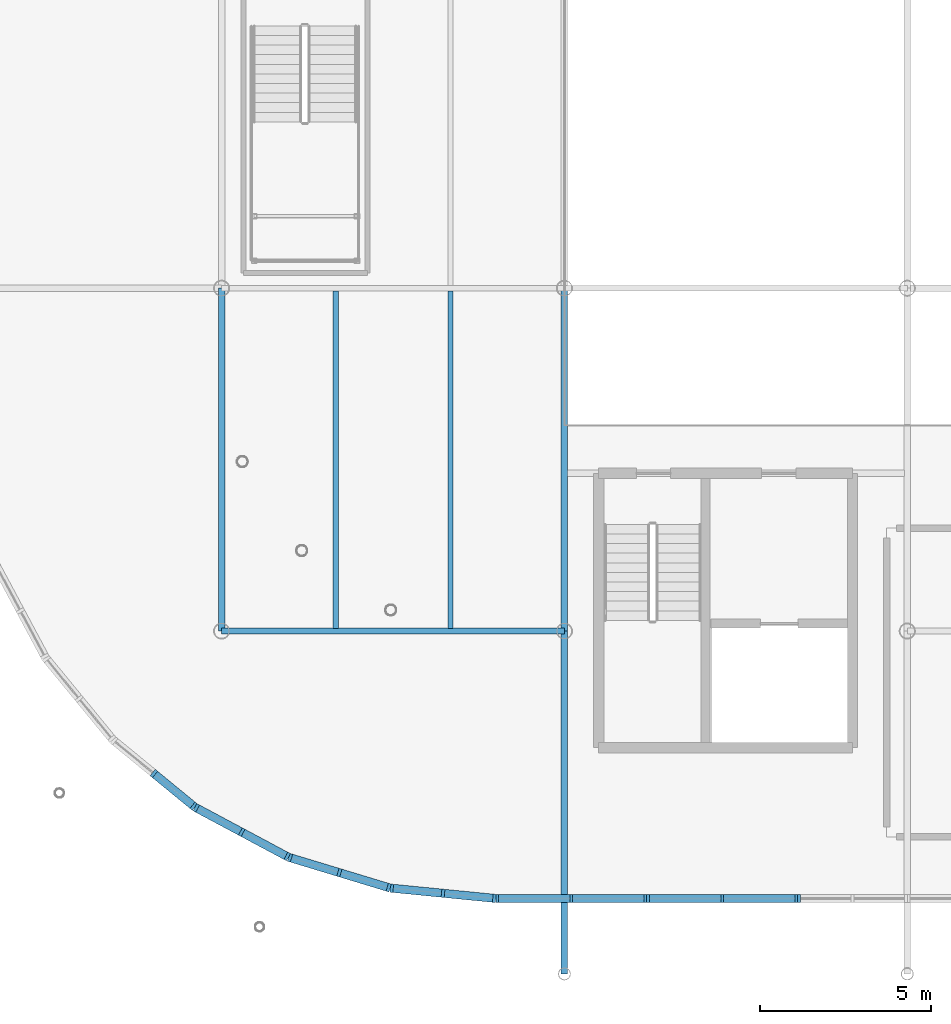
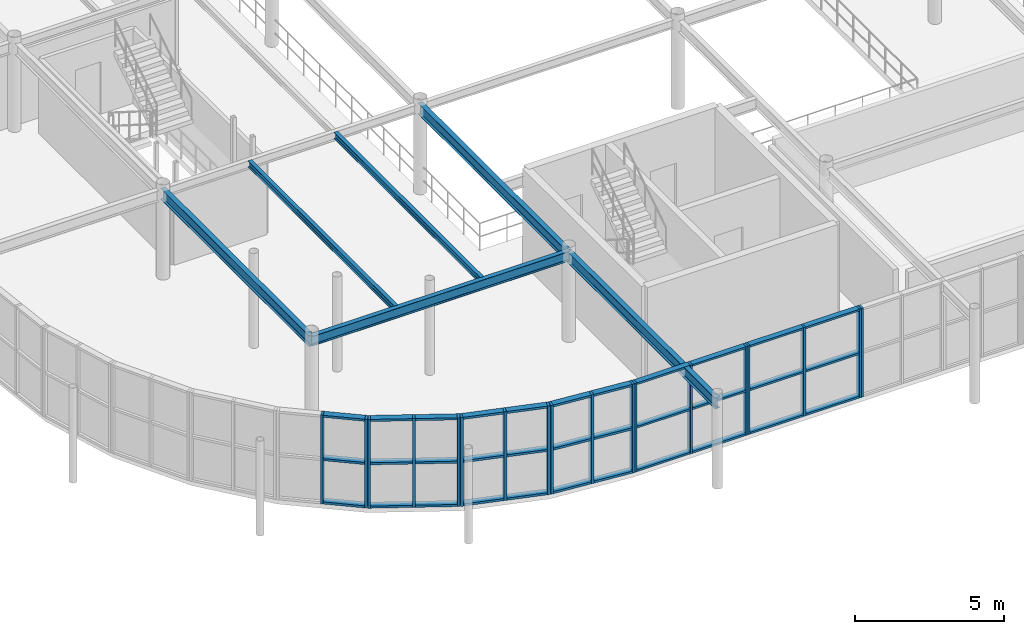
# One storey, part 43 of 98: 51 members, 6 beams, 7 elements without a shape of their own.
"""IFC4 building model written with IfcOpenShell, lengths in metres."""

from ifc_helpers import new_model, si_unit, derived_unit, direction, frame, origin, origin_2d_with_axis, place, context, subcontext, project, spatial, rectangle, i_section, extrude, material, material_profile, profile_set, type_object, element, aggregate, save


model = new_model("IFC4")

# Units and contexts
model_context = context("Model", 3, precision=1e-05, world=origin(), true_north=direction((0.0, 1.0)))
body_context = subcontext(model_context, "Body", "Model", "MODEL_VIEW")
ifc_project = project(units=[si_unit("LENGTHUNIT", "METRE"), si_unit("AREAUNIT", "SQUARE_METRE"), si_unit("VOLUMEUNIT", "CUBIC_METRE"), si_unit("PLANEANGLEUNIT", "RADIAN"), si_unit("MASSUNIT", "GRAM", prefix="KILO"), derived_unit("THERMALTRANSMITTANCEUNIT", [(si_unit("POWERUNIT", "WATT"), 1), (si_unit("LENGTHUNIT", "METRE"), -2), (si_unit("THERMODYNAMICTEMPERATUREUNIT", "KELVIN"), -1)])], contexts=[model_context])

# Site, building, storey
site_placement = place(None, origin())
site = spatial("IfcSite", under=ifc_project, at=site_placement, CompositionType="ELEMENT")
building_placement = place(site_placement, origin())
building = spatial("IfcBuilding", under=site, at=building_placement, Name="Cinnabar Yard Market Hall", CompositionType="ELEMENT")
storey_placement = place(building_placement, frame((0.0, 0.0, 4.5)))
storey = spatial("IfcBuildingStorey", under=building, at=storey_placement, Name="L01", CompositionType="ELEMENT", Elevation=4.5)

# Beams
ifc_material_1 = material(Name="Steel Grade 300 (300 MPa)", Category="steel")
ifc_material_profile_1 = material_profile(ifc_material_1, i_section(OverallWidth=0.18994140625, OverallDepth=0.453857421875, WebThickness=0.008544921875, FlangeThickness=0.0126953125, FilletRadius=0.011474609375, at=origin_2d_with_axis()), Name="460UB67.1")
ifc_profile_set_1 = profile_set([ifc_material_profile_1], Name="Steel Grade 300 (300 MPa)")
beam_type_1 = type_object("IfcBeamType", Name="BM-B05", PredefinedType="BEAM", material=ifc_profile_set_1)
for number, where, z_axis, x_axis, name in (
    (1, (76.0, 24.0, 3.423095703125), (0.0, 1.0, 0.0), (-1.0, 0.0, 0.0), "L01 Gallery Girder Y 00307"),
    (2, (86.0, 24.0, 3.423095703125), (0.0, 1.0, 0.0), (-1.0, 0.0, 0.0), "L01 Gallery Girder Y 00318"),
):
    element("IfcBeam", number, at=place(storey_placement, frame(where, z_axis=z_axis, x_axis=x_axis)), inside=storey, type_object=beam_type_1, Name=name, PredefinedType="BEAM", context=body_context, shape_type="SweptSolid", body=[
        extrude(i_section(OverallWidth=0.18994140625, OverallDepth=0.453857421875, WebThickness=0.008544921875, FlangeThickness=0.0126953125, FilletRadius=0.011474609375, at=origin_2d_with_axis()), origin(), (0.0, 0.0, 1.0), 10.0),
    ])
ifc_material_profile_2 = material_profile(ifc_material_1, i_section(OverallWidth=0.18994140625, OverallDepth=0.453857421875, WebThickness=0.008544921875, FlangeThickness=0.0126953125, FilletRadius=0.011474609375, at=origin_2d_with_axis()), Name="460UB67.1")
ifc_profile_set_2 = profile_set([ifc_material_profile_2], Name="Steel Grade 300 (300 MPa)")
beam_type_2 = type_object("IfcBeamType", Name="BM-B05E", PredefinedType="BEAM", material=ifc_profile_set_2)
beam_1_placement = place(storey_placement, frame((86.0, 24.0, 3.423095703125), z_axis=(0.0, -1.0, 0.0), x_axis=(1.0, 0.0, 0.0)))
element("IfcBeam", 3, at=beam_1_placement, inside=storey, type_object=beam_type_2, Name="L01 Gallery South Tie 00287", PredefinedType="BEAM", context=body_context, shape_type="SweptSolid", body=[
    extrude(i_section(OverallWidth=0.18994140625, OverallDepth=0.453857421875, WebThickness=0.008544921875, FlangeThickness=0.0126953125, FilletRadius=0.011474609375, at=origin_2d_with_axis()), origin(), (0.0, 0.0, 1.0), 10.0),
])
ifc_material_profile_3 = material_profile(ifc_material_1, i_section(OverallWidth=0.177978515625, OverallDepth=0.402587890625, WebThickness=0.007568359375, FlangeThickness=0.010986328125, FilletRadius=0.011474609375, at=origin_2d_with_axis()), Name="410UB53.7")
ifc_profile_set_3 = profile_set([ifc_material_profile_3], Name="Steel Grade 300 (300 MPa)")
beam_type_3 = type_object("IfcBeamType", Name="BM-B09", PredefinedType="BEAM", material=ifc_profile_set_3)
beam_2_placement = place(storey_placement, frame((76.0, 24.0, 3.44873046875), z_axis=(1.0, 0.0, 0.0), x_axis=(0.0, 1.0, 0.0)))
element("IfcBeam", 4, at=beam_2_placement, inside=storey, type_object=beam_type_3, Name="L01 Gallery Girder X 00251", PredefinedType="BEAM", context=body_context, shape_type="SweptSolid", body=[
    extrude(i_section(OverallWidth=0.177978515625, OverallDepth=0.402587890625, WebThickness=0.007568359375, FlangeThickness=0.010986328125, FilletRadius=0.011474609375, at=origin_2d_with_axis()), origin(), (0.0, 0.0, 1.0), 10.0),
])
ifc_material_profile_4 = material_profile(ifc_material_1, i_section(OverallWidth=0.14599609375, OverallDepth=0.256103515625, WebThickness=0.00634765625, FlangeThickness=0.010986328125, FilletRadius=0.0087890625, at=origin_2d_with_axis()), Name="250UB37.3")
ifc_profile_set_4 = profile_set([ifc_material_profile_4], Name="Steel Grade 300 (300 MPa)")
beam_type_4 = type_object("IfcBeamType", Name="BM-J03", PredefinedType="JOIST", material=ifc_profile_set_4)
for number, where, z_axis, x_axis, name in (
    (5, (79.330078125, 24.074951171875, 3.52197265625), (0.0, 1.0, 0.0), (-1.0, 0.0, 0.0), "L01 Gallery Joist 00308"),
    (6, (82.669921875, 24.074951171875, 3.52197265625), (0.0, 1.0, 0.0), (-1.0, 0.0, 0.0), "L01 Gallery Joist 00309"),
):
    element("IfcBeam", number, at=place(storey_placement, frame(where, z_axis=z_axis, x_axis=x_axis)), inside=storey, type_object=beam_type_4, Name=name, PredefinedType="JOIST", context=body_context, shape_type="SweptSolid", body=[
        extrude(i_section(OverallWidth=0.14599609375, OverallDepth=0.256103515625, WebThickness=0.00634765625, FlangeThickness=0.010986328125, FilletRadius=0.0087890625, at=origin_2d_with_axis()), origin(), (0.0, 0.0, 1.0), 9.85009765625),
    ])

# Curtain wall, members
ifc_material_2 = material(Name="Anodised bronze aluminium curved-chord facade", Category="aluminium")
curtain_wall_type_1 = type_object("IfcCurtainWallType", Name="CW-CWC031x36", PredefinedType="NOTDEFINED", material=ifc_material_2)
curtain_wall_1_placement = place(storey_placement, origin())
curtain_wall_1 = element("IfcCurtainWall", 7, at=curtain_wall_1_placement, inside=storey, type_object=curtain_wall_type_1, Name="Corner SW Chord 5 L01", PredefinedType="NOTDEFINED")
ifc_material_3 = material(Name="Anodised bronze aluminium", Category="aluminium")
ifc_material_profile_5 = material_profile(ifc_material_3, rectangle(XDim=0.239990234375, YDim=0.090087890625, at=origin_2d_with_axis()), Name="MUL-CWC")
ifc_profile_set_5 = profile_set([ifc_material_profile_5], Name="Anodised bronze aluminium")
member_type_1 = type_object("IfcMemberType", Name="CWM-CWC", PredefinedType="MULLION", material=ifc_profile_set_5)
member_1_placement = place(storey_placement, frame((74.02490234375, 19.84521484375, 0.0), z_axis=(0.0, 0.0, 1.0), x_axis=(0.634383400924, 0.773018564222, 0.0)))
member_1 = element("IfcMember", 8, at=member_1_placement, type_object=member_type_1, Name="CWC031x36 mullion 2", PredefinedType="MULLION", context=body_context, shape_type="SweptSolid", body=[
    extrude(rectangle(XDim=0.239990234375, YDim=0.090087890625, at=origin_2d_with_axis()), origin(), (0.0, 0.0, 1.0), 3.64990234375),
])
member_2_placement = place(storey_placement, frame((75.187255859375, 18.891357421875, 0.0), z_axis=(0.0, 0.0, 1.0), x_axis=(0.634383400924, 0.773018564222, 0.0)))
member_2 = element("IfcMember", 9, at=member_2_placement, type_object=member_type_1, Name="CWC031x36 mullion 3", PredefinedType="MULLION", context=body_context, shape_type="SweptSolid", body=[
    extrude(rectangle(XDim=0.239990234375, YDim=0.090087890625, at=origin_2d_with_axis()), origin(), (0.0, 0.0, 1.0), 3.64990234375),
])

curtain_wall_2_placement = place(storey_placement, origin())
curtain_wall_2 = element("IfcCurtainWall", 10, at=curtain_wall_2_placement, inside=storey, type_object=curtain_wall_type_1, Name="Corner SW Chord 6 L01", PredefinedType="NOTDEFINED")
member_3_placement = place(storey_placement, frame((75.26171875, 18.841552734375, 0.0), z_axis=(0.0, 0.0, 1.0), x_axis=(0.471404114786, 0.881917320707, 0.0)))
member_3 = element("IfcMember", 11, at=member_3_placement, type_object=member_type_1, Name="CWC031x36 mullion 1", PredefinedType="MULLION", context=body_context, shape_type="SweptSolid", body=[
    extrude(rectangle(XDim=0.239990234375, YDim=0.090087890625, at=origin_2d_with_axis()), origin(), (0.0, 0.0, 1.0), 3.64990234375),
])
member_4_placement = place(storey_placement, frame((76.587890625, 18.1328125, 0.0), z_axis=(0.0, 0.0, 1.0), x_axis=(0.471404114786, 0.881917320707, 0.0)))
member_4 = element("IfcMember", 12, at=member_4_placement, type_object=member_type_1, Name="CWC031x36 mullion 2", PredefinedType="MULLION", context=body_context, shape_type="SweptSolid", body=[
    extrude(rectangle(XDim=0.239990234375, YDim=0.090087890625, at=origin_2d_with_axis()), origin(), (0.0, 0.0, 1.0), 3.64990234375),
])
member_5_placement = place(storey_placement, frame((77.913818359375, 17.423828125, 0.0), z_axis=(0.0, 0.0, 1.0), x_axis=(0.471404114786, 0.881917320707, 0.0)))
member_5 = element("IfcMember", 13, at=member_5_placement, type_object=member_type_1, Name="CWC031x36 mullion 3", PredefinedType="MULLION", context=body_context, shape_type="SweptSolid", body=[
    extrude(rectangle(XDim=0.239990234375, YDim=0.090087890625, at=origin_2d_with_axis()), origin(), (0.0, 0.0, 1.0), 3.64990234375),
])

curtain_wall_3_placement = place(storey_placement, origin())
curtain_wall_3 = element("IfcCurtainWall", 14, at=curtain_wall_3_placement, inside=storey, type_object=curtain_wall_type_1, Name="Corner SW Chord 7 L01", PredefinedType="NOTDEFINED")
member_6_placement = place(storey_placement, frame((77.99658203125, 17.3896484375, 0.0), z_axis=(0.0, 0.0, 1.0), x_axis=(0.290278891325, 0.956942090856, 0.0)))
member_6 = element("IfcMember", 15, at=member_6_placement, type_object=member_type_1, Name="CWC031x36 mullion 1", PredefinedType="MULLION", context=body_context, shape_type="SweptSolid", body=[
    extrude(rectangle(XDim=0.239990234375, YDim=0.090087890625, at=origin_2d_with_axis()), origin(), (0.0, 0.0, 1.0), 3.64990234375),
])
member_7_placement = place(storey_placement, frame((79.435546875, 16.953125, 0.0), z_axis=(0.0, 0.0, 1.0), x_axis=(0.290278891325, 0.956942090856, 0.0)))
member_7 = element("IfcMember", 16, at=member_7_placement, type_object=member_type_1, Name="CWC031x36 mullion 2", PredefinedType="MULLION", context=body_context, shape_type="SweptSolid", body=[
    extrude(rectangle(XDim=0.239990234375, YDim=0.090087890625, at=origin_2d_with_axis()), origin(), (0.0, 0.0, 1.0), 3.64990234375),
])
member_8_placement = place(storey_placement, frame((80.87451171875, 16.5166015625, 0.0), z_axis=(0.0, 0.0, 1.0), x_axis=(0.290278891325, 0.956942090856, 0.0)))
member_8 = element("IfcMember", 17, at=member_8_placement, type_object=member_type_1, Name="CWC031x36 mullion 3", PredefinedType="MULLION", context=body_context, shape_type="SweptSolid", body=[
    extrude(rectangle(XDim=0.239990234375, YDim=0.090087890625, at=origin_2d_with_axis()), origin(), (0.0, 0.0, 1.0), 3.64990234375),
])

curtain_wall_4_placement = place(storey_placement, origin())
curtain_wall_4 = element("IfcCurtainWall", 18, at=curtain_wall_4_placement, inside=storey, type_object=curtain_wall_type_1, Name="Corner SW Chord 8 L01", PredefinedType="NOTDEFINED")
member_9_placement = place(storey_placement, frame((80.96240234375, 16.499267578125, 0.0), z_axis=(0.0, 0.0, 1.0), x_axis=(0.098020369342, 0.995184408637, 0.0)))
member_9 = element("IfcMember", 19, at=member_9_placement, type_object=member_type_1, Name="CWC031x36 mullion 1", PredefinedType="MULLION", context=body_context, shape_type="SweptSolid", body=[
    extrude(rectangle(XDim=0.239990234375, YDim=0.090087890625, at=origin_2d_with_axis()), origin(), (0.0, 0.0, 1.0), 3.64990234375),
])
member_10_placement = place(storey_placement, frame((82.458740234375, 16.351806640625, 0.0), z_axis=(0.0, 0.0, 1.0), x_axis=(0.098020369342, 0.995184408637, 0.0)))
member_10 = element("IfcMember", 20, at=member_10_placement, type_object=member_type_1, Name="CWC031x36 mullion 2", PredefinedType="MULLION", context=body_context, shape_type="SweptSolid", body=[
    extrude(rectangle(XDim=0.239990234375, YDim=0.090087890625, at=origin_2d_with_axis()), origin(), (0.0, 0.0, 1.0), 3.64990234375),
])
member_11_placement = place(storey_placement, frame((83.955322265625, 16.204345703125, 0.0), z_axis=(0.0, 0.0, 1.0), x_axis=(0.098020369342, 0.995184408637, 0.0)))
member_11 = element("IfcMember", 21, at=member_11_placement, type_object=member_type_1, Name="CWC031x36 mullion 3", PredefinedType="MULLION", context=body_context, shape_type="SweptSolid", body=[
    extrude(rectangle(XDim=0.239990234375, YDim=0.090087890625, at=origin_2d_with_axis()), origin(), (0.0, 0.0, 1.0), 3.64990234375),
])

ifc_material_4 = material(Name="Anodised bronze aluminium and low-E glass", Category="aluminium")
curtain_wall_type_2 = type_object("IfcCurtainWallType", Name="CW-CWH044x36", PredefinedType="NOTDEFINED", material=ifc_material_4)
curtain_wall_5_placement = place(storey_placement, origin())
curtain_wall_5 = element("IfcCurtainWall", 22, at=curtain_wall_5_placement, inside=storey, type_object=curtain_wall_type_2, Name="Market Hall South Gallery Glazing B1A", PredefinedType="NOTDEFINED")
ifc_material_profile_6 = material_profile(ifc_material_3, rectangle(XDim=0.219970703125, YDim=0.080078125, at=origin_2d_with_axis()), Name="MUL-CWH")
ifc_profile_set_6 = profile_set([ifc_material_profile_6], Name="Anodised bronze aluminium")
member_type_2 = type_object("IfcMemberType", Name="CWM-CWH", PredefinedType="MULLION", material=ifc_profile_set_6)
member_12_placement = place(storey_placement, frame((84.0400390625, 16.199951171875, 0.0), z_axis=(0.0, 0.0, 1.0), x_axis=(0.0, 1.0, 0.0)))
member_12 = element("IfcMember", 23, at=member_12_placement, type_object=member_type_2, Name="CWH044x36 mullion 1", PredefinedType="MULLION", context=body_context, shape_type="SweptSolid", body=[
    extrude(rectangle(XDim=0.219970703125, YDim=0.080078125, at=origin_2d_with_axis()), origin(), (0.0, 0.0, 1.0), 3.64990234375),
])
member_13_placement = place(storey_placement, frame((86.199951171875, 16.199951171875, 0.0), z_axis=(0.0, 0.0, 1.0), x_axis=(0.0, 1.0, 0.0)))
member_13 = element("IfcMember", 24, at=member_13_placement, type_object=member_type_2, Name="CWH044x36 mullion 2", PredefinedType="MULLION", context=body_context, shape_type="SweptSolid", body=[
    extrude(rectangle(XDim=0.219970703125, YDim=0.080078125, at=origin_2d_with_axis()), origin(), (0.0, 0.0, 1.0), 3.64990234375),
])
member_14_placement = place(storey_placement, frame((88.360107421875, 16.199951171875, 0.0), z_axis=(0.0, 0.0, 1.0), x_axis=(0.0, 1.0, 0.0)))
member_14 = element("IfcMember", 25, at=member_14_placement, type_object=member_type_2, Name="CWH044x36 mullion 3", PredefinedType="MULLION", context=body_context, shape_type="SweptSolid", body=[
    extrude(rectangle(XDim=0.219970703125, YDim=0.080078125, at=origin_2d_with_axis()), origin(), (0.0, 0.0, 1.0), 3.64990234375),
])

curtain_wall_6_placement = place(storey_placement, origin())
curtain_wall_6 = element("IfcCurtainWall", 26, at=curtain_wall_6_placement, inside=storey, type_object=curtain_wall_type_2, Name="Market Hall South Gallery Glazing PTW", PredefinedType="NOTDEFINED")
member_15_placement = place(storey_placement, frame((88.43994140625, 16.199951171875, 0.0), z_axis=(0.0, 0.0, 1.0), x_axis=(0.0, 1.0, 0.0)))
member_15 = element("IfcMember", 27, at=member_15_placement, type_object=member_type_2, Name="CWH044x36 mullion 1", PredefinedType="MULLION", context=body_context, shape_type="SweptSolid", body=[
    extrude(rectangle(XDim=0.219970703125, YDim=0.080078125, at=origin_2d_with_axis()), origin(), (0.0, 0.0, 1.0), 3.64990234375),
])
member_16_placement = place(storey_placement, frame((90.60009765625, 16.199951171875, 0.0), z_axis=(0.0, 0.0, 1.0), x_axis=(0.0, 1.0, 0.0)))
member_16 = element("IfcMember", 28, at=member_16_placement, type_object=member_type_2, Name="CWH044x36 mullion 2", PredefinedType="MULLION", context=body_context, shape_type="SweptSolid", body=[
    extrude(rectangle(XDim=0.219970703125, YDim=0.080078125, at=origin_2d_with_axis()), origin(), (0.0, 0.0, 1.0), 3.64990234375),
])
member_17_placement = place(storey_placement, frame((92.760009765625, 16.199951171875, 0.0), z_axis=(0.0, 0.0, 1.0), x_axis=(0.0, 1.0, 0.0)))
member_17 = element("IfcMember", 29, at=member_17_placement, type_object=member_type_2, Name="CWH044x36 mullion 3", PredefinedType="MULLION", context=body_context, shape_type="SweptSolid", body=[
    extrude(rectangle(XDim=0.219970703125, YDim=0.080078125, at=origin_2d_with_axis()), origin(), (0.0, 0.0, 1.0), 3.64990234375),
])

# Curtain wall, member
curtain_wall_type_3 = type_object("IfcCurtainWallType", Name="CW-CWH032x36", PredefinedType="NOTDEFINED", material=ifc_material_4)
curtain_wall_7_placement = place(storey_placement, origin())
curtain_wall_7 = element("IfcCurtainWall", 30, at=curtain_wall_7_placement, inside=storey, type_object=curtain_wall_type_3, Name="Market Hall South Gallery Glazing B1B", PredefinedType="NOTDEFINED")
member_18_placement = place(storey_placement, frame((92.840087890625, 16.199951171875, 0.0), z_axis=(0.0, 0.0, 1.0), x_axis=(0.0, 1.0, 0.0)))
member_18 = element("IfcMember", 31, at=member_18_placement, type_object=member_type_2, Name="CWH032x36 mullion 1", PredefinedType="MULLION", context=body_context, shape_type="SweptSolid", body=[
    extrude(rectangle(XDim=0.219970703125, YDim=0.080078125, at=origin_2d_with_axis()), origin(), (0.0, 0.0, 1.0), 3.64990234375),
])
aggregate(curtain_wall_7, [member_18])

# Member
ifc_material_profile_7 = material_profile(ifc_material_3, rectangle(XDim=0.239990234375, YDim=0.090087890625, at=origin_2d_with_axis()), Name="TRN-CWC")
ifc_profile_set_7 = profile_set([ifc_material_profile_7], Name="Anodised bronze aluminium")
member_type_3 = type_object("IfcMemberType", Name="CWT-CWC", PredefinedType="USERDEFINED", material=ifc_profile_set_7)
member_19_placement = place(storey_placement, frame((74.0595703125, 19.816650390625, 0.044921875), z_axis=(0.773040795861, -0.634356309919, 0.0), x_axis=(0.634356309919, 0.773040795861, 0.0)))
member_19 = element("IfcMember", 32, at=member_19_placement, type_object=member_type_3, Name="CWC031x36 transom 2.1", ObjectType="TRANSOM", PredefinedType="USERDEFINED", context=body_context, shape_type="SweptSolid", body=[
    extrude(rectangle(XDim=0.239990234375, YDim=0.090087890625, at=origin_2d_with_axis()), origin(), (0.0, 0.0, 1.0), 1.41357421875),
])

member_20_placement = place(storey_placement, frame((74.0595703125, 19.816650390625, 1.824951171875), z_axis=(0.773040795861, -0.634356309919, 0.0), x_axis=(0.634356309919, 0.773040795861, 0.0)))
member_20 = element("IfcMember", 33, at=member_20_placement, type_object=member_type_3, Name="CWC031x36 transom 2.2", ObjectType="TRANSOM", PredefinedType="USERDEFINED", context=body_context, shape_type="SweptSolid", body=[
    extrude(rectangle(XDim=0.239990234375, YDim=0.090087890625, at=origin_2d_with_axis()), origin(), (0.0, 0.0, 1.0), 1.41357421875),
])

member_21_placement = place(storey_placement, frame((74.0595703125, 19.816650390625, 3.60498046875), z_axis=(0.773040795861, -0.634356309919, 0.0), x_axis=(0.634356309919, 0.773040795861, 0.0)))
member_21 = element("IfcMember", 34, at=member_21_placement, type_object=member_type_3, Name="CWC031x36 transom 2.3", ObjectType="TRANSOM", PredefinedType="USERDEFINED", context=body_context, shape_type="SweptSolid", body=[
    extrude(rectangle(XDim=0.239990234375, YDim=0.090087890625, at=origin_2d_with_axis()), origin(), (0.0, 0.0, 1.0), 1.41357421875),
])

aggregate(curtain_wall_1, [member_1, member_2, member_19, member_20, member_21])

member_22_placement = place(storey_placement, frame((75.30126953125, 18.8203125, 0.044921875), z_axis=(0.881974989496, -0.471296210365, 0.0), x_axis=(0.471296210365, 0.881974989496, 0.0)))
member_22 = element("IfcMember", 35, at=member_22_placement, type_object=member_type_3, Name="CWC031x36 transom 1.1", ObjectType="TRANSOM", PredefinedType="USERDEFINED", context=body_context, shape_type="SweptSolid", body=[
    extrude(rectangle(XDim=0.239990234375, YDim=0.090087890625, at=origin_2d_with_axis()), origin(), (0.0, 0.0, 1.0), 1.41357421875),
])

member_23_placement = place(storey_placement, frame((75.30126953125, 18.8203125, 1.824951171875), z_axis=(0.881974989496, -0.471296210365, 0.0), x_axis=(0.471296210365, 0.881974989496, 0.0)))
member_23 = element("IfcMember", 36, at=member_23_placement, type_object=member_type_3, Name="CWC031x36 transom 1.2", ObjectType="TRANSOM", PredefinedType="USERDEFINED", context=body_context, shape_type="SweptSolid", body=[
    extrude(rectangle(XDim=0.239990234375, YDim=0.090087890625, at=origin_2d_with_axis()), origin(), (0.0, 0.0, 1.0), 1.41357421875),
])

member_24_placement = place(storey_placement, frame((75.30126953125, 18.8203125, 3.60498046875), z_axis=(0.881974989496, -0.471296210365, 0.0), x_axis=(0.471296210365, 0.881974989496, 0.0)))
member_24 = element("IfcMember", 37, at=member_24_placement, type_object=member_type_3, Name="CWC031x36 transom 1.3", ObjectType="TRANSOM", PredefinedType="USERDEFINED", context=body_context, shape_type="SweptSolid", body=[
    extrude(rectangle(XDim=0.239990234375, YDim=0.090087890625, at=origin_2d_with_axis()), origin(), (0.0, 0.0, 1.0), 1.41357421875),
])

member_25_placement = place(storey_placement, frame((76.62744140625, 18.111572265625, 0.044921875), z_axis=(0.881903198965, -0.471430533224, 0.0), x_axis=(0.471430533224, 0.881903198965, 0.0)))
member_25 = element("IfcMember", 38, at=member_25_placement, type_object=member_type_3, Name="CWC031x36 transom 2.1", ObjectType="TRANSOM", PredefinedType="USERDEFINED", context=body_context, shape_type="SweptSolid", body=[
    extrude(rectangle(XDim=0.239990234375, YDim=0.090087890625, at=origin_2d_with_axis()), origin(), (0.0, 0.0, 1.0), 1.413818359375),
])

member_26_placement = place(storey_placement, frame((76.62744140625, 18.111572265625, 1.824951171875), z_axis=(0.881903198965, -0.471430533224, 0.0), x_axis=(0.471430533224, 0.881903198965, 0.0)))
member_26 = element("IfcMember", 39, at=member_26_placement, type_object=member_type_3, Name="CWC031x36 transom 2.2", ObjectType="TRANSOM", PredefinedType="USERDEFINED", context=body_context, shape_type="SweptSolid", body=[
    extrude(rectangle(XDim=0.239990234375, YDim=0.090087890625, at=origin_2d_with_axis()), origin(), (0.0, 0.0, 1.0), 1.413818359375),
])

member_27_placement = place(storey_placement, frame((76.62744140625, 18.111572265625, 3.60498046875), z_axis=(0.881903198965, -0.471430533224, 0.0), x_axis=(0.471430533224, 0.881903198965, 0.0)))
member_27 = element("IfcMember", 40, at=member_27_placement, type_object=member_type_3, Name="CWC031x36 transom 2.3", ObjectType="TRANSOM", PredefinedType="USERDEFINED", context=body_context, shape_type="SweptSolid", body=[
    extrude(rectangle(XDim=0.239990234375, YDim=0.090087890625, at=origin_2d_with_axis()), origin(), (0.0, 0.0, 1.0), 1.413818359375),
])

aggregate(curtain_wall_2, [member_3, member_4, member_5, member_22, member_23, member_24, member_25, member_26, member_27])

member_28_placement = place(storey_placement, frame((78.039794921875, 17.37646484375, 0.044921875), z_axis=(0.956980816915, -0.290151195166, 0.0), x_axis=(0.290151195166, 0.956980816915, 0.0)))
member_28 = element("IfcMember", 41, at=member_28_placement, type_object=member_type_3, Name="CWC031x36 transom 1.1", ObjectType="TRANSOM", PredefinedType="USERDEFINED", context=body_context, shape_type="SweptSolid", body=[
    extrude(rectangle(XDim=0.239990234375, YDim=0.090087890625, at=origin_2d_with_axis()), origin(), (0.0, 0.0, 1.0), 1.41357421875),
])

member_29_placement = place(storey_placement, frame((78.039794921875, 17.37646484375, 1.824951171875), z_axis=(0.956980816915, -0.290151195166, 0.0), x_axis=(0.290151195166, 0.956980816915, 0.0)))
member_29 = element("IfcMember", 42, at=member_29_placement, type_object=member_type_3, Name="CWC031x36 transom 1.2", ObjectType="TRANSOM", PredefinedType="USERDEFINED", context=body_context, shape_type="SweptSolid", body=[
    extrude(rectangle(XDim=0.239990234375, YDim=0.090087890625, at=origin_2d_with_axis()), origin(), (0.0, 0.0, 1.0), 1.41357421875),
])

member_30_placement = place(storey_placement, frame((78.039794921875, 17.37646484375, 3.60498046875), z_axis=(0.956980816915, -0.290151195166, 0.0), x_axis=(0.290151195166, 0.956980816915, 0.0)))
member_30 = element("IfcMember", 43, at=member_30_placement, type_object=member_type_3, Name="CWC031x36 transom 1.3", ObjectType="TRANSOM", PredefinedType="USERDEFINED", context=body_context, shape_type="SweptSolid", body=[
    extrude(rectangle(XDim=0.239990234375, YDim=0.090087890625, at=origin_2d_with_axis()), origin(), (0.0, 0.0, 1.0), 1.41357421875),
])

member_31_placement = place(storey_placement, frame((79.478759765625, 16.940185546875, 0.044921875), z_axis=(0.956932850279, -0.290309352341, 0.0), x_axis=(0.290309352341, 0.956932850279, 0.0)))
member_31 = element("IfcMember", 44, at=member_31_placement, type_object=member_type_3, Name="CWC031x36 transom 2.1", ObjectType="TRANSOM", PredefinedType="USERDEFINED", context=body_context, shape_type="SweptSolid", body=[
    extrude(rectangle(XDim=0.239990234375, YDim=0.090087890625, at=origin_2d_with_axis()), origin(), (0.0, 0.0, 1.0), 1.41357421875),
])

member_32_placement = place(storey_placement, frame((79.478759765625, 16.940185546875, 1.824951171875), z_axis=(0.956932850279, -0.290309352341, 0.0), x_axis=(0.290309352341, 0.956932850279, 0.0)))
member_32 = element("IfcMember", 45, at=member_32_placement, type_object=member_type_3, Name="CWC031x36 transom 2.2", ObjectType="TRANSOM", PredefinedType="USERDEFINED", context=body_context, shape_type="SweptSolid", body=[
    extrude(rectangle(XDim=0.239990234375, YDim=0.090087890625, at=origin_2d_with_axis()), origin(), (0.0, 0.0, 1.0), 1.41357421875),
])

member_33_placement = place(storey_placement, frame((79.478759765625, 16.940185546875, 3.60498046875), z_axis=(0.956932850279, -0.290309352341, 0.0), x_axis=(0.290309352341, 0.956932850279, 0.0)))
member_33 = element("IfcMember", 46, at=member_33_placement, type_object=member_type_3, Name="CWC031x36 transom 2.3", ObjectType="TRANSOM", PredefinedType="USERDEFINED", context=body_context, shape_type="SweptSolid", body=[
    extrude(rectangle(XDim=0.239990234375, YDim=0.090087890625, at=origin_2d_with_axis()), origin(), (0.0, 0.0, 1.0), 1.41357421875),
])

aggregate(curtain_wall_3, [member_6, member_7, member_8, member_28, member_29, member_30, member_31, member_32, member_33])

member_34_placement = place(storey_placement, frame((81.007080078125, 16.494873046875, 0.044921875), z_axis=(0.995178086946, -0.098084531214, 0.0), x_axis=(0.098084531214, 0.995178086946, 0.0)))
member_34 = element("IfcMember", 47, at=member_34_placement, type_object=member_type_3, Name="CWC031x36 transom 1.1", ObjectType="TRANSOM", PredefinedType="USERDEFINED", context=body_context, shape_type="SweptSolid", body=[
    extrude(rectangle(XDim=0.239990234375, YDim=0.090087890625, at=origin_2d_with_axis()), origin(), (0.0, 0.0, 1.0), 1.413818359375),
])

member_35_placement = place(storey_placement, frame((81.007080078125, 16.494873046875, 1.824951171875), z_axis=(0.995178086946, -0.098084531214, 0.0), x_axis=(0.098084531214, 0.995178086946, 0.0)))
member_35 = element("IfcMember", 48, at=member_35_placement, type_object=member_type_3, Name="CWC031x36 transom 1.2", ObjectType="TRANSOM", PredefinedType="USERDEFINED", context=body_context, shape_type="SweptSolid", body=[
    extrude(rectangle(XDim=0.239990234375, YDim=0.090087890625, at=origin_2d_with_axis()), origin(), (0.0, 0.0, 1.0), 1.413818359375),
])

member_36_placement = place(storey_placement, frame((81.007080078125, 16.494873046875, 3.60498046875), z_axis=(0.995178086946, -0.098084531214, 0.0), x_axis=(0.098084531214, 0.995178086946, 0.0)))
member_36 = element("IfcMember", 49, at=member_36_placement, type_object=member_type_3, Name="CWC031x36 transom 1.3", ObjectType="TRANSOM", PredefinedType="USERDEFINED", context=body_context, shape_type="SweptSolid", body=[
    extrude(rectangle(XDim=0.239990234375, YDim=0.090087890625, at=origin_2d_with_axis()), origin(), (0.0, 0.0, 1.0), 1.413818359375),
])

member_37_placement = place(storey_placement, frame((82.503662109375, 16.347412109375, 0.044921875), z_axis=(0.995176425197, -0.098101390058, 0.0), x_axis=(0.098101390058, 0.995176425197, 0.0)))
member_37 = element("IfcMember", 50, at=member_37_placement, type_object=member_type_3, Name="CWC031x36 transom 2.1", ObjectType="TRANSOM", PredefinedType="USERDEFINED", context=body_context, shape_type="SweptSolid", body=[
    extrude(rectangle(XDim=0.239990234375, YDim=0.090087890625, at=origin_2d_with_axis()), origin(), (0.0, 0.0, 1.0), 1.41357421875),
])

member_38_placement = place(storey_placement, frame((82.503662109375, 16.347412109375, 1.824951171875), z_axis=(0.995176425197, -0.098101390058, 0.0), x_axis=(0.098101390058, 0.995176425197, 0.0)))
member_38 = element("IfcMember", 51, at=member_38_placement, type_object=member_type_3, Name="CWC031x36 transom 2.2", ObjectType="TRANSOM", PredefinedType="USERDEFINED", context=body_context, shape_type="SweptSolid", body=[
    extrude(rectangle(XDim=0.239990234375, YDim=0.090087890625, at=origin_2d_with_axis()), origin(), (0.0, 0.0, 1.0), 1.41357421875),
])

member_39_placement = place(storey_placement, frame((82.503662109375, 16.347412109375, 3.60498046875), z_axis=(0.995176425197, -0.098101390058, 0.0), x_axis=(0.098101390058, 0.995176425197, 0.0)))
member_39 = element("IfcMember", 52, at=member_39_placement, type_object=member_type_3, Name="CWC031x36 transom 2.3", ObjectType="TRANSOM", PredefinedType="USERDEFINED", context=body_context, shape_type="SweptSolid", body=[
    extrude(rectangle(XDim=0.239990234375, YDim=0.090087890625, at=origin_2d_with_axis()), origin(), (0.0, 0.0, 1.0), 1.41357421875),
])

aggregate(curtain_wall_4, [member_9, member_10, member_11, member_34, member_35, member_36, member_37, member_38, member_39])

ifc_material_profile_8 = material_profile(ifc_material_3, rectangle(XDim=0.219970703125, YDim=0.080078125, at=origin_2d_with_axis()), Name="TRN-CWH")
ifc_profile_set_8 = profile_set([ifc_material_profile_8], Name="Anodised bronze aluminium")
member_type_4 = type_object("IfcMemberType", Name="CWT-CWH", PredefinedType="USERDEFINED", material=ifc_profile_set_8)
member_40_placement = place(storey_placement, frame((84.080078125, 16.199951171875, 0.0400390625), z_axis=(1.0, 0.0, 0.0), x_axis=(0.0, 1.0, 0.0)))
member_40 = element("IfcMember", 53, at=member_40_placement, type_object=member_type_4, Name="CWH044x36 transom 1.1", ObjectType="TRANSOM", PredefinedType="USERDEFINED", context=body_context, shape_type="SweptSolid", body=[
    extrude(rectangle(XDim=0.219970703125, YDim=0.080078125, at=origin_2d_with_axis()), origin(), (0.0, 0.0, 1.0), 2.079833984375),
])

member_41_placement = place(storey_placement, frame((84.080078125, 16.199951171875, 1.824951171875), z_axis=(1.0, 0.0, 0.0), x_axis=(0.0, 1.0, 0.0)))
member_41 = element("IfcMember", 54, at=member_41_placement, type_object=member_type_4, Name="CWH044x36 transom 1.2", ObjectType="TRANSOM", PredefinedType="USERDEFINED", context=body_context, shape_type="SweptSolid", body=[
    extrude(rectangle(XDim=0.219970703125, YDim=0.080078125, at=origin_2d_with_axis()), origin(), (0.0, 0.0, 1.0), 2.079833984375),
])

member_42_placement = place(storey_placement, frame((84.080078125, 16.199951171875, 3.610107421875), z_axis=(1.0, 0.0, 0.0), x_axis=(0.0, 1.0, 0.0)))
member_42 = element("IfcMember", 55, at=member_42_placement, type_object=member_type_4, Name="CWH044x36 transom 1.3", ObjectType="TRANSOM", PredefinedType="USERDEFINED", context=body_context, shape_type="SweptSolid", body=[
    extrude(rectangle(XDim=0.219970703125, YDim=0.080078125, at=origin_2d_with_axis()), origin(), (0.0, 0.0, 1.0), 2.079833984375),
])

member_43_placement = place(storey_placement, frame((86.239990234375, 16.199951171875, 0.0400390625), z_axis=(1.0, 0.0, 0.0), x_axis=(0.0, 1.0, 0.0)))
member_43 = element("IfcMember", 56, at=member_43_placement, type_object=member_type_4, Name="CWH044x36 transom 2.1", ObjectType="TRANSOM", PredefinedType="USERDEFINED", context=body_context, shape_type="SweptSolid", body=[
    extrude(rectangle(XDim=0.219970703125, YDim=0.080078125, at=origin_2d_with_axis()), origin(), (0.0, 0.0, 1.0), 2.080078125),
])

member_44_placement = place(storey_placement, frame((86.239990234375, 16.199951171875, 1.824951171875), z_axis=(1.0, 0.0, 0.0), x_axis=(0.0, 1.0, 0.0)))
member_44 = element("IfcMember", 57, at=member_44_placement, type_object=member_type_4, Name="CWH044x36 transom 2.2", ObjectType="TRANSOM", PredefinedType="USERDEFINED", context=body_context, shape_type="SweptSolid", body=[
    extrude(rectangle(XDim=0.219970703125, YDim=0.080078125, at=origin_2d_with_axis()), origin(), (0.0, 0.0, 1.0), 2.080078125),
])

member_45_placement = place(storey_placement, frame((86.239990234375, 16.199951171875, 3.610107421875), z_axis=(1.0, 0.0, 0.0), x_axis=(0.0, 1.0, 0.0)))
member_45 = element("IfcMember", 58, at=member_45_placement, type_object=member_type_4, Name="CWH044x36 transom 2.3", ObjectType="TRANSOM", PredefinedType="USERDEFINED", context=body_context, shape_type="SweptSolid", body=[
    extrude(rectangle(XDim=0.219970703125, YDim=0.080078125, at=origin_2d_with_axis()), origin(), (0.0, 0.0, 1.0), 2.080078125),
])

aggregate(curtain_wall_5, [member_12, member_13, member_14, member_40, member_41, member_42, member_43, member_44, member_45])

member_46_placement = place(storey_placement, frame((88.47998046875, 16.199951171875, 0.0400390625), z_axis=(1.0, 0.0, 0.0), x_axis=(0.0, 1.0, 0.0)))
member_46 = element("IfcMember", 59, at=member_46_placement, type_object=member_type_4, Name="CWH044x36 transom 1.1", ObjectType="TRANSOM", PredefinedType="USERDEFINED", context=body_context, shape_type="SweptSolid", body=[
    extrude(rectangle(XDim=0.219970703125, YDim=0.080078125, at=origin_2d_with_axis()), origin(), (0.0, 0.0, 1.0), 2.080078125),
])

member_47_placement = place(storey_placement, frame((88.47998046875, 16.199951171875, 1.824951171875), z_axis=(1.0, 0.0, 0.0), x_axis=(0.0, 1.0, 0.0)))
member_47 = element("IfcMember", 60, at=member_47_placement, type_object=member_type_4, Name="CWH044x36 transom 1.2", ObjectType="TRANSOM", PredefinedType="USERDEFINED", context=body_context, shape_type="SweptSolid", body=[
    extrude(rectangle(XDim=0.219970703125, YDim=0.080078125, at=origin_2d_with_axis()), origin(), (0.0, 0.0, 1.0), 2.080078125),
])

member_48_placement = place(storey_placement, frame((88.47998046875, 16.199951171875, 3.610107421875), z_axis=(1.0, 0.0, 0.0), x_axis=(0.0, 1.0, 0.0)))
member_48 = element("IfcMember", 61, at=member_48_placement, type_object=member_type_4, Name="CWH044x36 transom 1.3", ObjectType="TRANSOM", PredefinedType="USERDEFINED", context=body_context, shape_type="SweptSolid", body=[
    extrude(rectangle(XDim=0.219970703125, YDim=0.080078125, at=origin_2d_with_axis()), origin(), (0.0, 0.0, 1.0), 2.080078125),
])

member_49_placement = place(storey_placement, frame((90.639892578125, 16.199951171875, 0.0400390625), z_axis=(1.0, 0.0, 0.0), x_axis=(0.0, 1.0, 0.0)))
member_49 = element("IfcMember", 62, at=member_49_placement, type_object=member_type_4, Name="CWH044x36 transom 2.1", ObjectType="TRANSOM", PredefinedType="USERDEFINED", context=body_context, shape_type="SweptSolid", body=[
    extrude(rectangle(XDim=0.219970703125, YDim=0.080078125, at=origin_2d_with_axis()), origin(), (0.0, 0.0, 1.0), 2.080078125),
])

member_50_placement = place(storey_placement, frame((90.639892578125, 16.199951171875, 1.824951171875), z_axis=(1.0, 0.0, 0.0), x_axis=(0.0, 1.0, 0.0)))
member_50 = element("IfcMember", 63, at=member_50_placement, type_object=member_type_4, Name="CWH044x36 transom 2.2", ObjectType="TRANSOM", PredefinedType="USERDEFINED", context=body_context, shape_type="SweptSolid", body=[
    extrude(rectangle(XDim=0.219970703125, YDim=0.080078125, at=origin_2d_with_axis()), origin(), (0.0, 0.0, 1.0), 2.080078125),
])

member_51_placement = place(storey_placement, frame((90.639892578125, 16.199951171875, 3.610107421875), z_axis=(1.0, 0.0, 0.0), x_axis=(0.0, 1.0, 0.0)))
member_51 = element("IfcMember", 64, at=member_51_placement, type_object=member_type_4, Name="CWH044x36 transom 2.3", ObjectType="TRANSOM", PredefinedType="USERDEFINED", context=body_context, shape_type="SweptSolid", body=[
    extrude(rectangle(XDim=0.219970703125, YDim=0.080078125, at=origin_2d_with_axis()), origin(), (0.0, 0.0, 1.0), 2.080078125),
])

aggregate(curtain_wall_6, [member_15, member_16, member_17, member_46, member_47, member_48, member_49, member_50, member_51])

save(model, "model.ifc")
